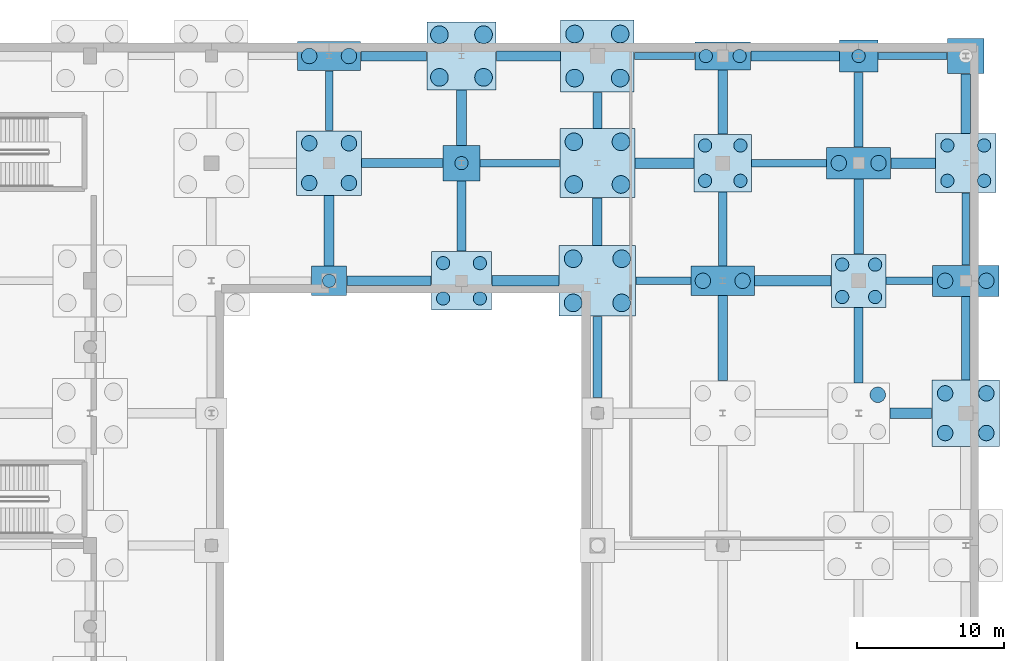
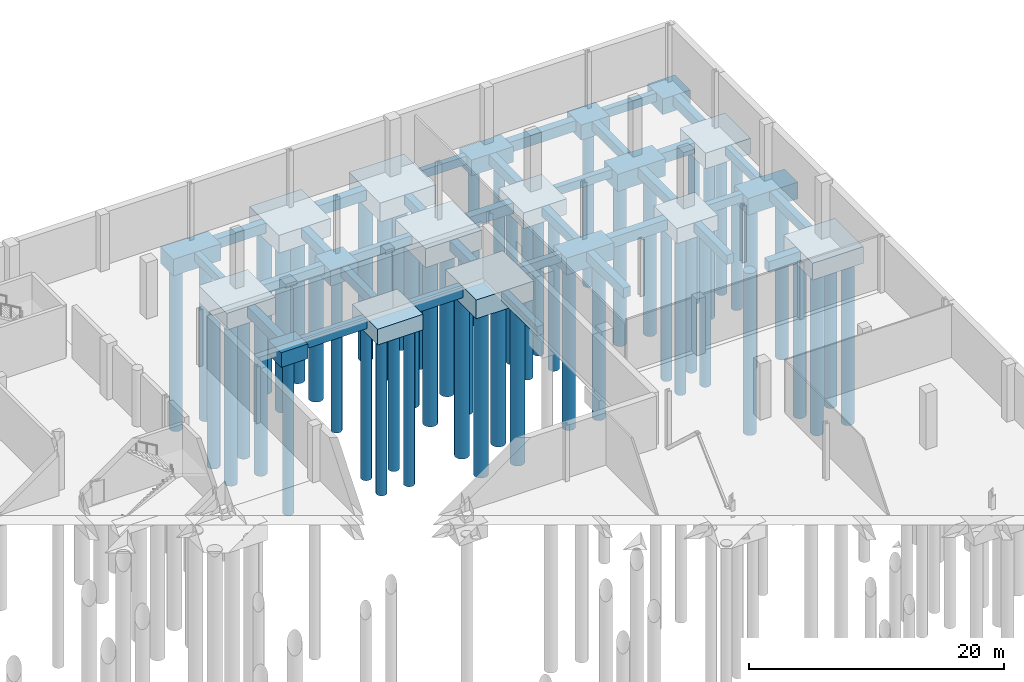
# One storey, part 14 of 60: 54 piles, 51 footings.
"""IFC4 building model written with IfcOpenShell, lengths in metres."""

from ifc_helpers import new_model, si_unit, direction, frame, origin, origin_2d, place, context, subcontext, project, spatial, rectangle, circle, extrude, material, material_profile, profile_set, type_object, element, save


model = new_model("IFC4")

# Units and contexts
model_context = context("Model", 3, precision=1e-05, world=origin(), true_north=direction((0.0, 1.0)))
body_context = subcontext(model_context, "Body", "Model", "MODEL_VIEW")
ifc_project = project(units=[si_unit("LENGTHUNIT", "METRE"), si_unit("AREAUNIT", "SQUARE_METRE"), si_unit("VOLUMEUNIT", "CUBIC_METRE"), si_unit("PLANEANGLEUNIT", "RADIAN"), si_unit("MASSUNIT", "GRAM", prefix="KILO")], contexts=[model_context])

# Site, building, storey
site_placement = place(None, origin())
site = spatial("IfcSite", under=ifc_project, at=site_placement, CompositionType="ELEMENT")
building_placement = place(site_placement, origin())
building = spatial("IfcBuilding", under=site, at=building_placement, Name="Trimount Lyric Opera House", CompositionType="ELEMENT")
storey_placement = place(building_placement, frame((0.0, 0.0, -5.39990234375)))
storey = spatial("IfcBuildingStorey", under=building, at=storey_placement, Name="B1", CompositionType="ELEMENT", Elevation=-5.39990234375)

# Footings
ifc_material_1 = material(Name="Concrete C40/50", Category="concrete")
footing_type_1 = type_object("IfcFootingType", Name="FB-01", PredefinedType="FOOTING_BEAM", material=ifc_material_1)
footing_1_placement = place(storey_placement, frame((130.0, 105.39990234375, -1.60009765625), z_axis=(0.0, 0.0, 1.0), x_axis=(1.0, 0.0, 0.0)))
element("IfcFooting", 1, at=footing_1_placement, inside=storey, type_object=footing_type_1, Name="Ground tie beam Y-0328", PredefinedType="FOOTING_BEAM", context=body_context, shape_type="SweptSolid", body=[
    extrude(rectangle(XDim=0.699951171875, YDim=4.77001953125, at=origin_2d()), origin(), (0.0, 0.0, 1.0), 1.0),
])
footing_2_placement = place(storey_placement, frame((143.344970703125, 102.0, -1.60009765625), z_axis=(0.0, 0.0, 1.0), x_axis=(1.0, 0.0, 0.0)))
element("IfcFooting", 2, at=footing_2_placement, inside=storey, type_object=footing_type_1, Name="Ground tie beam X-0348", PredefinedType="FOOTING_BEAM", context=body_context, shape_type="SweptSolid", body=[
    extrude(rectangle(XDim=4.56005859375, YDim=0.699951171875, at=origin_2d()), origin(), (0.0, 0.0, 1.0), 1.0),
])
footing_3_placement = place(storey_placement, frame((143.544921875, 117.280029296875, -1.60009765625), z_axis=(0.0, 0.0, 1.0), x_axis=(1.0, 0.0, 0.0)))
element("IfcFooting", 3, at=footing_3_placement, inside=storey, type_object=footing_type_1, Name="Ground tie beam X-0352", PredefinedType="FOOTING_BEAM", context=body_context, shape_type="SweptSolid", body=[
    extrude(rectangle(XDim=4.360107421875, YDim=0.699951171875, at=origin_2d()), origin(), (0.0, 0.0, 1.0), 1.0),
])
footing_4_placement = place(storey_placement, frame((152.800048828125, 110.0, -1.60009765625), z_axis=(0.0, 0.0, 1.0), x_axis=(1.0, 0.0, 0.0)))
element("IfcFooting", 4, at=footing_4_placement, inside=storey, type_object=footing_type_1, Name="Ground tie beam X-0376", PredefinedType="FOOTING_BEAM", context=body_context, shape_type="SweptSolid", body=[
    extrude(rectangle(XDim=3.989990234375, YDim=0.699951171875, at=origin_2d()), origin(), (0.0, 0.0, 1.0), 1.0),
])
footing_5_placement = place(storey_placement, frame((161.530029296875, 102.0, -1.60009765625), z_axis=(0.0, 0.0, 1.0), x_axis=(1.0, 0.0, 0.0)))
element("IfcFooting", 5, at=footing_5_placement, inside=storey, type_object=footing_type_1, Name="Ground tie beam X-0400", PredefinedType="FOOTING_BEAM", context=body_context, shape_type="SweptSolid", body=[
    extrude(rectangle(XDim=5.2099609375, YDim=0.699951171875, at=origin_2d()), origin(), (0.0, 0.0, 1.0), 1.0),
])
footing_6_placement = place(storey_placement, frame((161.679931640625, 117.280029296875, -1.60009765625), z_axis=(0.0, 0.0, 1.0), x_axis=(1.0, 0.0, 0.0)))
element("IfcFooting", 6, at=footing_6_placement, inside=storey, type_object=footing_type_1, Name="Ground tie beam X-0404", PredefinedType="FOOTING_BEAM", context=body_context, shape_type="SweptSolid", body=[
    extrude(rectangle(XDim=6.010009765625, YDim=0.699951171875, at=origin_2d()), origin(), (0.0, 0.0, 1.0), 1.0),
])
footing_7_placement = place(storey_placement, frame((169.5400390625, 93.0, -1.60009765625), z_axis=(0.0, 0.0, 1.0), x_axis=(1.0, 0.0, 0.0)))
element("IfcFooting", 7, at=footing_7_placement, inside=storey, type_object=footing_type_1, Name="Ground tie beam X-0424", PredefinedType="FOOTING_BEAM", context=body_context, shape_type="SweptSolid", body=[
    extrude(rectangle(XDim=2.85009765625, YDim=0.699951171875, at=origin_2d()), origin(), (0.0, 0.0, 1.0), 1.0),
])
footing_8_placement = place(storey_placement, frame((169.702392578125, 110.0, -1.60009765625), z_axis=(0.0, 0.0, 1.0), x_axis=(1.0, 0.0, 0.0)))
element("IfcFooting", 8, at=footing_8_placement, inside=storey, type_object=footing_type_1, Name="Ground tie beam X-0428", PredefinedType="FOOTING_BEAM", context=body_context, shape_type="SweptSolid", body=[
    extrude(rectangle(XDim=3.02490234375, YDim=0.699951171875, at=origin_2d()), origin(), (0.0, 0.0, 1.0), 1.0),
])
ifc_material_2 = material(Name="Concrete C40/50", Category="concrete")
footing_type_2 = type_object("IfcFootingType", Name="FB-02", PredefinedType="FOOTING_BEAM", material=ifc_material_2)
footing_9_placement = place(storey_placement, frame((134.97509765625, 110.0, -1.5), z_axis=(0.0, 0.0, 1.0), x_axis=(1.0, 0.0, 0.0)))
element("IfcFooting", 9, at=footing_9_placement, inside=storey, type_object=footing_type_2, Name="Ground tie beam X-0329", PredefinedType="FOOTING_BEAM", context=body_context, shape_type="SweptSolid", body=[
    extrude(rectangle(XDim=5.52001953125, YDim=0.60009765625, at=origin_2d()), origin(), (0.0, 0.0, 1.0), 0.89990234375),
])
footing_10_placement = place(storey_placement, frame((139.0, 106.39990234375, -1.5), z_axis=(0.0, 0.0, 1.0), x_axis=(1.0, 0.0, 0.0)))
element("IfcFooting", 10, at=footing_10_placement, inside=storey, type_object=footing_type_2, Name="Ground tie beam Y-0349", PredefinedType="FOOTING_BEAM", context=body_context, shape_type="SweptSolid", body=[
    extrude(rectangle(XDim=0.60009765625, YDim=4.77001953125, at=origin_2d()), origin(), (0.0, 0.0, 1.0), 0.89990234375),
])
footing_11_placement = place(storey_placement, frame((148.239990234375, 96.824951171875, -1.5), z_axis=(0.0, 0.0, 1.0), x_axis=(1.0, 0.0, 0.0)))
element("IfcFooting", 11, at=footing_11_placement, inside=storey, type_object=footing_type_2, Name="Ground tie beam Y-0373", PredefinedType="FOOTING_BEAM", context=body_context, shape_type="SweptSolid", body=[
    extrude(rectangle(XDim=0.60009765625, YDim=5.52001953125, at=origin_2d()), origin(), (0.0, 0.0, 1.0), 0.89990234375),
])
footing_12_placement = place(storey_placement, frame((148.239990234375, 113.590087890625, -1.5), z_axis=(0.0, 0.0, 1.0), x_axis=(1.0, 0.0, 0.0)))
element("IfcFooting", 12, at=footing_12_placement, inside=storey, type_object=footing_type_2, Name="Ground tie beam Y-0377", PredefinedType="FOOTING_BEAM", context=body_context, shape_type="SweptSolid", body=[
    extrude(rectangle(XDim=0.60009765625, YDim=2.449951171875, at=origin_2d()), origin(), (0.0, 0.0, 1.0), 0.89990234375),
])
footing_13_placement = place(storey_placement, frame((156.760009765625, 105.52490234375, -1.5), z_axis=(0.0, 0.0, 1.0), x_axis=(1.0, 0.0, 0.0)))
element("IfcFooting", 13, at=footing_13_placement, inside=storey, type_object=footing_type_2, Name="Ground tie beam Y-0401", PredefinedType="FOOTING_BEAM", context=body_context, shape_type="SweptSolid", body=[
    extrude(rectangle(XDim=0.60009765625, YDim=5.02001953125, at=origin_2d()), origin(), (0.0, 0.0, 1.0), 0.89990234375),
])
footing_14_placement = place(storey_placement, frame((166.0, 97.625, -1.5), z_axis=(0.0, 0.0, 1.0), x_axis=(1.0, 0.0, 0.0)))
element("IfcFooting", 14, at=footing_14_placement, inside=storey, type_object=footing_type_2, Name="Ground tie beam Y-0425", PredefinedType="FOOTING_BEAM", context=body_context, shape_type="SweptSolid", body=[
    extrude(rectangle(XDim=0.60009765625, YDim=5.1201171875, at=origin_2d()), origin(), (0.0, 0.0, 1.0), 0.89990234375),
])
footing_15_placement = place(storey_placement, frame((166.0, 113.62744140625, -1.5), z_axis=(0.0, 0.0, 1.0), x_axis=(1.0, 0.0, 0.0)))
element("IfcFooting", 15, at=footing_15_placement, inside=storey, type_object=footing_type_2, Name="Ground tie beam Y-0429", PredefinedType="FOOTING_BEAM", context=body_context, shape_type="SweptSolid", body=[
    extrude(rectangle(XDim=0.60009765625, YDim=5.074951171875, at=origin_2d()), origin(), (0.0, 0.0, 1.0), 0.89990234375),
])
footing_16_placement = place(storey_placement, frame((173.280029296875, 98.10009765625, -1.5), z_axis=(0.0, 0.0, 1.0), x_axis=(1.0, 0.0, 0.0)))
element("IfcFooting", 16, at=footing_16_placement, inside=storey, type_object=footing_type_2, Name="Ground tie beam Y-0437", PredefinedType="FOOTING_BEAM", context=body_context, shape_type="SweptSolid", body=[
    extrude(rectangle(XDim=0.60009765625, YDim=5.669921875, at=origin_2d()), origin(), (0.0, 0.0, 1.0), 0.89990234375),
])
ifc_material_3 = material(Name="Concrete C40/50", Category="concrete")
footing_type_3 = type_object("IfcFootingType", Name="FB-03", PredefinedType="FOOTING_BEAM", material=ifc_material_3)
footing_17_placement = place(storey_placement, frame((130.0, 114.239990234375, -1.39990234375), z_axis=(0.0, 0.0, 1.0), x_axis=(1.0, 0.0, 0.0)))
element("IfcFooting", 17, at=footing_17_placement, inside=storey, type_object=footing_type_3, Name="Ground tie beam Y-0330", PredefinedType="FOOTING_BEAM", context=body_context, shape_type="SweptSolid", body=[
    extrude(rectangle(XDim=0.5, YDim=4.050048828125, at=origin_2d()), origin(), (0.0, 0.0, 1.0), 0.800048828125),
])
footing_18_placement = place(storey_placement, frame((142.969970703125, 110.0, -1.39990234375), z_axis=(0.0, 0.0, 1.0), x_axis=(1.0, 0.0, 0.0)))
element("IfcFooting", 18, at=footing_18_placement, inside=storey, type_object=footing_type_3, Name="Ground tie beam X-0350", PredefinedType="FOOTING_BEAM", context=body_context, shape_type="SweptSolid", body=[
    extrude(rectangle(XDim=5.409912109375, YDim=0.5, at=origin_2d()), origin(), (0.0, 0.0, 1.0), 0.800048828125),
])
footing_19_placement = place(storey_placement, frame((152.72509765625, 102.0, -1.39990234375), z_axis=(0.0, 0.0, 1.0), x_axis=(1.0, 0.0, 0.0)))
element("IfcFooting", 19, at=footing_19_placement, inside=storey, type_object=footing_type_3, Name="Ground tie beam X-0374", PredefinedType="FOOTING_BEAM", context=body_context, shape_type="SweptSolid", body=[
    extrude(rectangle(XDim=3.739990234375, YDim=0.5, at=origin_2d()), origin(), (0.0, 0.0, 1.0), 0.800048828125),
])
footing_20_placement = place(storey_placement, frame((152.800048828125, 117.280029296875, -1.39990234375), z_axis=(0.0, 0.0, 1.0), x_axis=(1.0, 0.0, 0.0)))
element("IfcFooting", 20, at=footing_20_placement, inside=storey, type_object=footing_type_3, Name="Ground tie beam X-0378", PredefinedType="FOOTING_BEAM", context=body_context, shape_type="SweptSolid", body=[
    extrude(rectangle(XDim=4.090087890625, YDim=0.5, at=origin_2d()), origin(), (0.0, 0.0, 1.0), 0.800048828125),
])
footing_21_placement = place(storey_placement, frame((161.267578125, 110.0, -1.39990234375), z_axis=(0.0, 0.0, 1.0), x_axis=(1.0, 0.0, 0.0)))
element("IfcFooting", 21, at=footing_21_placement, inside=storey, type_object=footing_type_3, Name="Ground tie beam X-0402", PredefinedType="FOOTING_BEAM", context=body_context, shape_type="SweptSolid", body=[
    extrude(rectangle(XDim=5.0849609375, YDim=0.5, at=origin_2d()), origin(), (0.0, 0.0, 1.0), 0.800048828125),
])
footing_22_placement = place(storey_placement, frame((169.43994140625, 102.0, -1.39990234375), z_axis=(0.0, 0.0, 1.0), x_axis=(1.0, 0.0, 0.0)))
element("IfcFooting", 22, at=footing_22_placement, inside=storey, type_object=footing_type_3, Name="Ground tie beam X-0426", PredefinedType="FOOTING_BEAM", context=body_context, shape_type="SweptSolid", body=[
    extrude(rectangle(XDim=3.14990234375, YDim=0.5, at=origin_2d()), origin(), (0.0, 0.0, 1.0), 0.800048828125),
])
footing_23_placement = place(storey_placement, frame((169.6650390625, 117.280029296875, -1.39990234375), z_axis=(0.0, 0.0, 1.0), x_axis=(1.0, 0.0, 0.0)))
element("IfcFooting", 23, at=footing_23_placement, inside=storey, type_object=footing_type_3, Name="Ground tie beam X-0430", PredefinedType="FOOTING_BEAM", context=body_context, shape_type="SweptSolid", body=[
    extrude(rectangle(XDim=4.699951171875, YDim=0.5, at=origin_2d()), origin(), (0.0, 0.0, 1.0), 0.800048828125),
])
footing_24_placement = place(storey_placement, frame((173.280029296875, 105.52490234375, -1.39990234375), z_axis=(0.0, 0.0, 1.0), x_axis=(1.0, 0.0, 0.0)))
element("IfcFooting", 24, at=footing_24_placement, inside=storey, type_object=footing_type_3, Name="Ground tie beam Y-0438", PredefinedType="FOOTING_BEAM", context=body_context, shape_type="SweptSolid", body=[
    extrude(rectangle(XDim=0.5, YDim=4.919921875, at=origin_2d()), origin(), (0.0, 0.0, 1.0), 0.800048828125),
])
ifc_material_4 = material(Name="Concrete C40/50", Category="concrete")
footing_type_4 = type_object("IfcFootingType", Name="FB-04", PredefinedType="FOOTING_BEAM", material=ifc_material_4)
footing_25_placement = place(storey_placement, frame((134.074951171875, 102.0, -1.55029296875), z_axis=(0.0, 0.0, 1.0), x_axis=(1.0, 0.0, 0.0)))
element("IfcFooting", 25, at=footing_25_placement, inside=storey, type_object=footing_type_4, Name="Ground tie beam X-0327", PredefinedType="FOOTING_BEAM", context=body_context, shape_type="SweptSolid", body=[
    extrude(rectangle(XDim=5.719970703125, YDim=0.64990234375, at=origin_2d()), origin(), (0.0, 0.0, 1.0), 0.949951171875),
])
footing_26_placement = place(storey_placement, frame((134.39990234375, 117.280029296875, -1.55029296875), z_axis=(0.0, 0.0, 1.0), x_axis=(1.0, 0.0, 0.0)))
element("IfcFooting", 26, at=footing_26_placement, inside=storey, type_object=footing_type_4, Name="Ground tie beam X-0331", PredefinedType="FOOTING_BEAM", context=body_context, shape_type="SweptSolid", body=[
    extrude(rectangle(XDim=4.469970703125, YDim=0.64990234375, at=origin_2d()), origin(), (0.0, 0.0, 1.0), 0.949951171875),
])
footing_27_placement = place(storey_placement, frame((139.0, 113.090087890625, -1.55029296875), z_axis=(0.0, 0.0, 1.0), x_axis=(1.0, 0.0, 0.0)))
element("IfcFooting", 27, at=footing_27_placement, inside=storey, type_object=footing_type_4, Name="Ground tie beam Y-0351", PredefinedType="FOOTING_BEAM", context=body_context, shape_type="SweptSolid", body=[
    extrude(rectangle(XDim=0.64990234375, YDim=3.75, at=origin_2d()), origin(), (0.0, 0.0, 1.0), 0.949951171875),
])
footing_28_placement = place(storey_placement, frame((148.239990234375, 106.02490234375, -1.55029296875), z_axis=(0.0, 0.0, 1.0), x_axis=(1.0, 0.0, 0.0)))
element("IfcFooting", 28, at=footing_28_placement, inside=storey, type_object=footing_type_4, Name="Ground tie beam Y-0375", PredefinedType="FOOTING_BEAM", context=body_context, shape_type="SweptSolid", body=[
    extrude(rectangle(XDim=0.64990234375, YDim=3.219970703125, at=origin_2d()), origin(), (0.0, 0.0, 1.0), 0.949951171875),
])
footing_29_placement = place(storey_placement, frame((156.760009765625, 98.10009765625, -1.55029296875), z_axis=(0.0, 0.0, 1.0), x_axis=(1.0, 0.0, 0.0)))
element("IfcFooting", 29, at=footing_29_placement, inside=storey, type_object=footing_type_4, Name="Ground tie beam Y-0399", PredefinedType="FOOTING_BEAM", context=body_context, shape_type="SweptSolid", body=[
    extrude(rectangle(XDim=0.64990234375, YDim=5.77001953125, at=origin_2d()), origin(), (0.0, 0.0, 1.0), 0.949951171875),
])
footing_30_placement = place(storey_placement, frame((156.760009765625, 114.139892578125, -1.55029296875), z_axis=(0.0, 0.0, 1.0), x_axis=(1.0, 0.0, 0.0)))
element("IfcFooting", 30, at=footing_30_placement, inside=storey, type_object=footing_type_4, Name="Ground tie beam Y-0403", PredefinedType="FOOTING_BEAM", context=body_context, shape_type="SweptSolid", body=[
    extrude(rectangle(XDim=0.64990234375, YDim=4.35009765625, at=origin_2d()), origin(), (0.0, 0.0, 1.0), 0.949951171875),
])
footing_31_placement = place(storey_placement, frame((166.0, 106.362548828125, -1.55029296875), z_axis=(0.0, 0.0, 1.0), x_axis=(1.0, 0.0, 0.0)))
element("IfcFooting", 31, at=footing_31_placement, inside=storey, type_object=footing_type_4, Name="Ground tie beam Y-0427", PredefinedType="FOOTING_BEAM", context=body_context, shape_type="SweptSolid", body=[
    extrude(rectangle(XDim=0.64990234375, YDim=5.094970703125, at=origin_2d()), origin(), (0.0, 0.0, 1.0), 0.949951171875),
])
footing_32_placement = place(storey_placement, frame((173.280029296875, 114.0400390625, -1.55029296875), z_axis=(0.0, 0.0, 1.0), x_axis=(1.0, 0.0, 0.0)))
element("IfcFooting", 32, at=footing_32_placement, inside=storey, type_object=footing_type_4, Name="Ground tie beam Y-0439", PredefinedType="FOOTING_BEAM", context=body_context, shape_type="SweptSolid", body=[
    extrude(rectangle(XDim=0.64990234375, YDim=4.050048828125, at=origin_2d()), origin(), (0.0, 0.0, 1.0), 0.949951171875),
])
ifc_material_5 = material(Name="Concrete C40/50", Category="concrete")
footing_type_5 = type_object("IfcFootingType", Name="PC-04", PredefinedType="PILE_CAP", material=ifc_material_5)
footing_33_placement = place(storey_placement, frame((130.0, 110.0, -2.2001953125), z_axis=(0.0, 0.0, 1.0), x_axis=(1.0, 0.0, 0.0)))
element("IfcFooting", 33, at=footing_33_placement, inside=storey, type_object=footing_type_5, Name="Pile cap 15/N", PredefinedType="PILE_CAP", context=body_context, shape_type="SweptSolid", body=[
    extrude(rectangle(XDim=4.39990234375, YDim=4.39990234375, at=origin_2d()), origin(), (0.0, 0.0, 1.0), 1.60009765625),
])
ifc_material_6 = material(Name="Concrete C40/50", Category="concrete")
footing_type_6 = type_object("IfcFootingType", Name="PC-05", PredefinedType="PILE_CAP", material=ifc_material_6)
for number, where, z_axis, x_axis, name in (
    (34, (130.0, 117.280029296875, -2.2001953125), (0.0, 0.0, 1.0), (1.0, 0.0, 0.0), "Pile cap 15/P"),
    (35, (156.760009765625, 102.0, -2.2001953125), (0.0, 0.0, 1.0), (1.0, 0.0, 0.0), "Pile cap 18/M"),
):
    element("IfcFooting", number, at=place(storey_placement, frame(where, z_axis=z_axis, x_axis=x_axis)), inside=storey, type_object=footing_type_6, Name=name, PredefinedType="PILE_CAP", context=body_context, shape_type="SweptSolid", body=[
        extrude(rectangle(XDim=4.300048828125, YDim=2.0, at=origin_2d()), origin(), (0.0, 0.0, 1.0), 1.60009765625),
    ])
ifc_material_7 = material(Name="Concrete C40/50", Category="concrete")
footing_type_7 = type_object("IfcFootingType", Name="PC-06", PredefinedType="PILE_CAP", material=ifc_material_7)
footing_34_placement = place(storey_placement, frame((156.760009765625, 110.0, -2.10009765625), z_axis=(0.0, 0.0, 1.0), x_axis=(1.0, 0.0, 0.0)))
element("IfcFooting", 36, at=footing_34_placement, inside=storey, type_object=footing_type_7, Name="Pile cap 18/N", PredefinedType="PILE_CAP", context=body_context, shape_type="SweptSolid", body=[
    extrude(rectangle(XDim=3.89990234375, YDim=3.89990234375, at=origin_2d()), origin(), (0.0, 0.0, 1.0), 1.5),
])
ifc_material_8 = material(Name="Concrete C40/50", Category="concrete")
footing_type_8 = type_object("IfcFootingType", Name="PC-07", PredefinedType="PILE_CAP", material=ifc_material_8)
footing_35_placement = place(storey_placement, frame((156.760009765625, 117.280029296875, -2.10009765625), z_axis=(0.0, 0.0, 1.0), x_axis=(1.0, 0.0, 0.0)))
element("IfcFooting", 37, at=footing_35_placement, inside=storey, type_object=footing_type_8, Name="Pile cap 18/P", PredefinedType="PILE_CAP", context=body_context, shape_type="SweptSolid", body=[
    extrude(rectangle(XDim=3.800048828125, YDim=1.89990234375, at=origin_2d()), origin(), (0.0, 0.0, 1.0), 1.5),
])
ifc_material_9 = material(Name="Concrete C40/50", Category="concrete")
footing_type_9 = type_object("IfcFootingType", Name="PC-10", PredefinedType="PILE_CAP", material=ifc_material_9)
footing_36_placement = place(storey_placement, frame((148.239990234375, 102.0, -2.39990234375), z_axis=(0.0, 0.0, 1.0), x_axis=(1.0, 0.0, 0.0)))
element("IfcFooting", 38, at=footing_36_placement, inside=storey, type_object=footing_type_9, Name="Pile cap 17/M", PredefinedType="PILE_CAP", context=body_context, shape_type="SweptSolid", body=[
    extrude(rectangle(XDim=5.199951171875, YDim=4.800048828125, at=origin_2d()), origin(), (0.0, 0.0, 1.0), 1.800048828125),
])
ifc_material_10 = material(Name="Concrete C40/50", Category="concrete")
footing_type_10 = type_object("IfcFootingType", Name="PC-11", PredefinedType="PILE_CAP", material=ifc_material_10)
footing_37_placement = place(storey_placement, frame((148.239990234375, 110.0, -2.39990234375), z_axis=(0.0, 0.0, 1.0), x_axis=(1.0, 0.0, 0.0)))
element("IfcFooting", 39, at=footing_37_placement, inside=storey, type_object=footing_type_10, Name="Pile cap 17/N", PredefinedType="PILE_CAP", context=body_context, shape_type="SweptSolid", body=[
    extrude(rectangle(XDim=5.10009765625, YDim=4.699951171875, at=origin_2d()), origin(), (0.0, 0.0, 1.0), 1.800048828125),
])
ifc_material_11 = material(Name="Concrete C40/50", Category="concrete")
footing_type_11 = type_object("IfcFootingType", Name="PC-12", PredefinedType="PILE_CAP", material=ifc_material_11)
footing_38_placement = place(storey_placement, frame((148.239990234375, 117.280029296875, -2.39990234375), z_axis=(0.0, 0.0, 1.0), x_axis=(1.0, 0.0, 0.0)))
element("IfcFooting", 40, at=footing_38_placement, inside=storey, type_object=footing_type_11, Name="Pile cap 17/P", PredefinedType="PILE_CAP", context=body_context, shape_type="SweptSolid", body=[
    extrude(rectangle(XDim=5.0, YDim=4.89990234375, at=origin_2d()), origin(), (0.0, 0.0, 1.0), 1.800048828125),
])
ifc_material_12 = material(Name="Concrete C40/50", Category="concrete")
footing_type_12 = type_object("IfcFootingType", Name="PC-13", PredefinedType="PILE_CAP", material=ifc_material_12)
footing_39_placement = place(storey_placement, frame((173.280029296875, 93.0, -2.2001953125), z_axis=(0.0, 0.0, 1.0), x_axis=(1.0, 0.0, 0.0)))
element("IfcFooting", 41, at=footing_39_placement, inside=storey, type_object=footing_type_12, Name="Pile cap 20/L", PredefinedType="PILE_CAP", context=body_context, shape_type="SweptSolid", body=[
    extrude(rectangle(XDim=4.60009765625, YDim=4.5, at=origin_2d()), origin(), (0.0, 0.0, 1.0), 1.60009765625),
])
ifc_material_13 = material(Name="Concrete C40/50", Category="concrete")
footing_type_13 = type_object("IfcFootingType", Name="PC-14", PredefinedType="PILE_CAP", material=ifc_material_13)
footing_40_placement = place(storey_placement, frame((173.280029296875, 102.0, -2.2001953125), z_axis=(0.0, 0.0, 1.0), x_axis=(1.0, 0.0, 0.0)))
element("IfcFooting", 42, at=footing_40_placement, inside=storey, type_object=footing_type_13, Name="Pile cap 20/M", PredefinedType="PILE_CAP", context=body_context, shape_type="SweptSolid", body=[
    extrude(rectangle(XDim=4.5, YDim=2.10009765625, at=origin_2d()), origin(), (0.0, 0.0, 1.0), 1.60009765625),
])
ifc_material_14 = material(Name="Concrete C40/50", Category="concrete")
footing_type_14 = type_object("IfcFootingType", Name="PC-15", PredefinedType="PILE_CAP", material=ifc_material_14)
for number, where, z_axis, x_axis, name in (
    (43, (139.0, 102.0, -2.10009765625), (0.0, 0.0, 1.0), (1.0, 0.0, 0.0), "Pile cap 16/M"),
    (44, (173.280029296875, 110.0, -2.10009765625), (0.0, 0.0, 1.0), (1.0, 0.0, 0.0), "Pile cap 20/N"),
):
    element("IfcFooting", number, at=place(storey_placement, frame(where, z_axis=z_axis, x_axis=x_axis)), inside=storey, type_object=footing_type_14, Name=name, PredefinedType="PILE_CAP", context=body_context, shape_type="SweptSolid", body=[
        extrude(rectangle(XDim=4.10009765625, YDim=4.0, at=origin_2d()), origin(), (0.0, 0.0, 1.0), 1.5),
    ])
ifc_material_15 = material(Name="Concrete C40/50", Category="concrete")
footing_type_15 = type_object("IfcFootingType", Name="PC-16", PredefinedType="PILE_CAP", material=ifc_material_15)
for number, where, z_axis, x_axis, name in (
    (45, (139.0, 110.0, -2.10009765625), (0.0, 0.0, 1.0), (1.0, 0.0, 0.0), "Pile cap 16/N"),
    (46, (173.280029296875, 117.280029296875, -2.10009765625), (0.0, 0.0, 1.0), (1.0, 0.0, 0.0), "Pile cap 20/P"),
):
    element("IfcFooting", number, at=place(storey_placement, frame(where, z_axis=z_axis, x_axis=x_axis)), inside=storey, type_object=footing_type_15, Name=name, PredefinedType="PILE_CAP", context=body_context, shape_type="SweptSolid", body=[
        extrude(rectangle(XDim=2.5, YDim=2.39990234375, at=origin_2d()), origin(), (0.0, 0.0, 1.0), 1.5),
    ])
ifc_material_16 = material(Name="Concrete C40/50", Category="concrete")
footing_type_16 = type_object("IfcFootingType", Name="PC-17", PredefinedType="PILE_CAP", material=ifc_material_16)
footing_41_placement = place(storey_placement, frame((139.0, 117.280029296875, -2.30029296875), z_axis=(0.0, 0.0, 1.0), x_axis=(1.0, 0.0, 0.0)))
element("IfcFooting", 47, at=footing_41_placement, inside=storey, type_object=footing_type_16, Name="Pile cap 16/P", PredefinedType="PILE_CAP", context=body_context, shape_type="SweptSolid", body=[
    extrude(rectangle(XDim=4.699951171875, YDim=4.60009765625, at=origin_2d()), origin(), (0.0, 0.0, 1.0), 1.699951171875),
])
ifc_material_17 = material(Name="Concrete C40/50", Category="concrete")
footing_type_17 = type_object("IfcFootingType", Name="PC-19", PredefinedType="PILE_CAP", material=ifc_material_17)
footing_42_placement = place(storey_placement, frame((166.0, 102.0, -2.05029296875), z_axis=(0.0, 0.0, 1.0), x_axis=(1.0, 0.0, 0.0)))
element("IfcFooting", 48, at=footing_42_placement, inside=storey, type_object=footing_type_17, Name="Pile cap 19/M", PredefinedType="PILE_CAP", context=body_context, shape_type="SweptSolid", body=[
    extrude(rectangle(XDim=3.699951171875, YDim=3.60009765625, at=origin_2d()), origin(), (0.0, 0.0, 1.0), 1.449951171875),
])
ifc_material_18 = material(Name="Concrete C40/50", Category="concrete")
footing_type_18 = type_object("IfcFootingType", Name="PC-20", PredefinedType="PILE_CAP", material=ifc_material_18)
footing_43_placement = place(storey_placement, frame((166.0, 110.0, -2.25), z_axis=(0.0, 0.0, 1.0), x_axis=(1.0, 0.0, 0.0)))
element("IfcFooting", 49, at=footing_43_placement, inside=storey, type_object=footing_type_18, Name="Pile cap 19/N", PredefinedType="PILE_CAP", context=body_context, shape_type="SweptSolid", body=[
    extrude(rectangle(XDim=4.35009765625, YDim=2.14990234375, at=origin_2d()), origin(), (0.0, 0.0, 1.0), 1.64990234375),
])
ifc_material_19 = material(Name="Concrete C40/50", Category="concrete")
footing_type_19 = type_object("IfcFootingType", Name="PC-21", PredefinedType="PILE_CAP", material=ifc_material_19)
footing_44_placement = place(storey_placement, frame((166.0, 117.280029296875, -2.05029296875), z_axis=(0.0, 0.0, 1.0), x_axis=(1.0, 0.0, 0.0)))
element("IfcFooting", 50, at=footing_44_placement, inside=storey, type_object=footing_type_19, Name="Pile cap 19/P", PredefinedType="PILE_CAP", context=body_context, shape_type="SweptSolid", body=[
    extrude(rectangle(XDim=2.60009765625, YDim=2.199951171875, at=origin_2d()), origin(), (0.0, 0.0, 1.0), 1.449951171875),
])
ifc_material_20 = material(Name="Concrete C40/50", Category="concrete")
footing_type_20 = type_object("IfcFootingType", Name="PC-22", PredefinedType="PILE_CAP", material=ifc_material_20)
footing_45_placement = place(storey_placement, frame((130.0, 102.0, -2.0), z_axis=(0.0, 0.0, 1.0), x_axis=(1.0, 0.0, 0.0)))
element("IfcFooting", 51, at=footing_45_placement, inside=storey, type_object=footing_type_20, Name="Pile cap 15/M", PredefinedType="PILE_CAP", context=body_context, shape_type="SweptSolid", body=[
    extrude(rectangle(XDim=2.39990234375, YDim=2.0, at=origin_2d()), origin(), (0.0, 0.0, 1.0), 1.39990234375),
])

# Piles
ifc_material_21 = material(Name="Concrete C40/50", Category="concrete")
ifc_material_profile_1 = material_profile(ifc_material_21, circle(Radius=0.52490234375, at=origin_2d()), Name="PILE-D1050")
ifc_profile_set_1 = profile_set([ifc_material_profile_1], Name="Concrete C40/50")
pile_type_1 = type_object("IfcPileType", Name="PL-1050", PredefinedType="BORED", material=ifc_profile_set_1)
for number, where, z_axis, x_axis, name in (
    (52, (128.64990234375, 108.64990234375, -2.10009765625), (0.0, 0.0, -1.0), (1.0, 0.0, 0.0), "Bored pile 0565"),
    (53, (131.35009765625, 108.64990234375, -2.10009765625), (0.0, 0.0, -1.0), (1.0, 0.0, 0.0), "Bored pile 0566"),
    (54, (128.64990234375, 111.35009765625, -2.10009765625), (0.0, 0.0, -1.0), (1.0, 0.0, 0.0), "Bored pile 0567"),
    (55, (131.35009765625, 111.35009765625, -2.10009765625), (0.0, 0.0, -1.0), (1.0, 0.0, 0.0), "Bored pile 0568"),
    (56, (128.64990234375, 117.280029296875, -2.10009765625), (0.0, 0.0, -1.0), (1.0, 0.0, 0.0), "Bored pile 0569"),
    (57, (131.35009765625, 117.280029296875, -2.10009765625), (0.0, 0.0, -1.0), (1.0, 0.0, 0.0), "Bored pile 0570"),
    (58, (155.409912109375, 102.0, -2.10009765625), (0.0, 0.0, -1.0), (1.0, 0.0, 0.0), "Bored pile 0675"),
    (59, (158.110107421875, 102.0, -2.10009765625), (0.0, 0.0, -1.0), (1.0, 0.0, 0.0), "Bored pile 0676"),
    (60, (167.300048828125, 94.25, -2.050048828125), (0.0, 0.0, -1.0), (1.0, 0.0, 0.0), "Bored pile 0715"),
    (61, (164.64990234375, 110.0, -2.150146484375), (0.0, 0.0, -1.0), (1.0, 0.0, 0.0), "Bored pile 0720"),
    (62, (167.35009765625, 110.0, -2.150146484375), (0.0, 0.0, -1.0), (1.0, 0.0, 0.0), "Bored pile 0721"),
    (63, (171.8798828125, 91.64990234375, -2.10009765625), (0.0, 0.0, -1.0), (1.0, 0.0, 0.0), "Bored pile 0750"),
    (64, (174.679931640625, 91.64990234375, -2.10009765625), (0.0, 0.0, -1.0), (1.0, 0.0, 0.0), "Bored pile 0751"),
    (65, (171.8798828125, 94.35009765625, -2.10009765625), (0.0, 0.0, -1.0), (1.0, 0.0, 0.0), "Bored pile 0752"),
    (66, (174.679931640625, 94.35009765625, -2.10009765625), (0.0, 0.0, -1.0), (1.0, 0.0, 0.0), "Bored pile 0753"),
    (67, (171.8798828125, 102.0, -2.10009765625), (0.0, 0.0, -1.0), (1.0, 0.0, 0.0), "Bored pile 0754"),
    (68, (174.679931640625, 102.0, -2.10009765625), (0.0, 0.0, -1.0), (1.0, 0.0, 0.0), "Bored pile 0755"),
):
    element("IfcPile", number, at=place(storey_placement, frame(where, z_axis=z_axis, x_axis=x_axis)), inside=storey, type_object=pile_type_1, Name=name, PredefinedType="BORED", context=body_context, shape_type="SweptSolid", body=[
        extrude(circle(Radius=0.52490234375, at=origin_2d()), origin(), (0.0, 0.0, 1.0), 15.5),
    ])
ifc_material_22 = material(Name="Concrete C40/50", Category="concrete")
ifc_material_profile_2 = material_profile(ifc_material_22, circle(Radius=0.60009765625, at=origin_2d()), Name="PILE-D1200")
ifc_profile_set_2 = profile_set([ifc_material_profile_2], Name="Concrete C40/50")
pile_type_2 = type_object("IfcPileType", Name="PL-1200", PredefinedType="BORED", material=ifc_profile_set_2)
for number, where, z_axis, x_axis, name in (
    (69, (137.5, 115.830078125, -2.2001953125), (0.0, 0.0, -1.0), (1.0, 0.0, 0.0), "Bored pile 0602"),
    (70, (140.5, 115.830078125, -2.2001953125), (0.0, 0.0, -1.0), (1.0, 0.0, 0.0), "Bored pile 0603"),
    (71, (137.5, 118.72998046875, -2.2001953125), (0.0, 0.0, -1.0), (1.0, 0.0, 0.0), "Bored pile 0604"),
    (72, (140.5, 118.72998046875, -2.2001953125), (0.0, 0.0, -1.0), (1.0, 0.0, 0.0), "Bored pile 0605"),
    (73, (146.590087890625, 100.5, -2.300048828125), (0.0, 0.0, -1.0), (1.0, 0.0, 0.0), "Bored pile 0632"),
    (74, (149.889892578125, 100.5, -2.300048828125), (0.0, 0.0, -1.0), (1.0, 0.0, 0.0), "Bored pile 0633"),
    (75, (146.590087890625, 103.5, -2.300048828125), (0.0, 0.0, -1.0), (1.0, 0.0, 0.0), "Bored pile 0634"),
    (76, (149.889892578125, 103.5, -2.300048828125), (0.0, 0.0, -1.0), (1.0, 0.0, 0.0), "Bored pile 0635"),
    (77, (146.639892578125, 108.550048828125, -2.300048828125), (0.0, 0.0, -1.0), (1.0, 0.0, 0.0), "Bored pile 0636"),
    (78, (149.840087890625, 108.550048828125, -2.300048828125), (0.0, 0.0, -1.0), (1.0, 0.0, 0.0), "Bored pile 0637"),
    (79, (146.639892578125, 111.449951171875, -2.300048828125), (0.0, 0.0, -1.0), (1.0, 0.0, 0.0), "Bored pile 0638"),
    (80, (149.840087890625, 111.449951171875, -2.300048828125), (0.0, 0.0, -1.0), (1.0, 0.0, 0.0), "Bored pile 0639"),
    (81, (146.68994140625, 115.780029296875, -2.300048828125), (0.0, 0.0, -1.0), (1.0, 0.0, 0.0), "Bored pile 0640"),
    (82, (149.7900390625, 115.780029296875, -2.300048828125), (0.0, 0.0, -1.0), (1.0, 0.0, 0.0), "Bored pile 0641"),
    (83, (146.68994140625, 118.780029296875, -2.300048828125), (0.0, 0.0, -1.0), (1.0, 0.0, 0.0), "Bored pile 0642"),
    (84, (149.7900390625, 118.780029296875, -2.300048828125), (0.0, 0.0, -1.0), (1.0, 0.0, 0.0), "Bored pile 0643"),
):
    element("IfcPile", number, at=place(storey_placement, frame(where, z_axis=z_axis, x_axis=x_axis)), inside=storey, type_object=pile_type_2, Name=name, PredefinedType="BORED", context=body_context, shape_type="SweptSolid", body=[
        extrude(circle(Radius=0.60009765625, at=origin_2d()), origin(), (0.0, 0.0, 1.0), 15.800048828125),
    ])
ifc_material_23 = material(Name="Concrete C40/50", Category="concrete")
ifc_material_profile_3 = material_profile(ifc_material_23, circle(Radius=0.449951171875, at=origin_2d()), Name="PILE-D900")
ifc_profile_set_3 = profile_set([ifc_material_profile_3], Name="Concrete C40/50")
pile_type_3 = type_object("IfcPileType", Name="PL-900", PredefinedType="BORED", material=ifc_profile_set_3)
for number, where, z_axis, x_axis, name in (
    (85, (130.0, 102.0, -1.900146484375), (0.0, 0.0, -1.0), (1.0, 0.0, 0.0), "Bored pile 0564"),
    (86, (137.75, 100.800048828125, -2.0), (0.0, 0.0, -1.0), (1.0, 0.0, 0.0), "Bored pile 0597"),
    (87, (140.25, 100.800048828125, -2.0), (0.0, 0.0, -1.0), (1.0, 0.0, 0.0), "Bored pile 0598"),
    (88, (137.75, 103.199951171875, -2.0), (0.0, 0.0, -1.0), (1.0, 0.0, 0.0), "Bored pile 0599"),
    (89, (140.25, 103.199951171875, -2.0), (0.0, 0.0, -1.0), (1.0, 0.0, 0.0), "Bored pile 0600"),
    (90, (139.0, 110.0, -2.0), (0.0, 0.0, -1.0), (1.0, 0.0, 0.0), "Bored pile 0601"),
    (91, (155.56005859375, 108.800048828125, -2.0), (0.0, 0.0, -1.0), (1.0, 0.0, 0.0), "Bored pile 0677"),
    (92, (157.9599609375, 108.800048828125, -2.0), (0.0, 0.0, -1.0), (1.0, 0.0, 0.0), "Bored pile 0678"),
    (93, (155.56005859375, 111.199951171875, -2.0), (0.0, 0.0, -1.0), (1.0, 0.0, 0.0), "Bored pile 0679"),
    (94, (157.9599609375, 111.199951171875, -2.0), (0.0, 0.0, -1.0), (1.0, 0.0, 0.0), "Bored pile 0680"),
    (95, (155.610107421875, 117.280029296875, -2.0), (0.0, 0.0, -1.0), (1.0, 0.0, 0.0), "Bored pile 0681"),
    (96, (157.909912109375, 117.280029296875, -2.0), (0.0, 0.0, -1.0), (1.0, 0.0, 0.0), "Bored pile 0682"),
    (97, (164.8798828125, 100.89990234375, -1.9501953125), (0.0, 0.0, -1.0), (1.0, 0.0, 0.0), "Bored pile 0716"),
    (98, (167.1201171875, 100.89990234375, -1.9501953125), (0.0, 0.0, -1.0), (1.0, 0.0, 0.0), "Bored pile 0717"),
    (99, (164.8798828125, 103.10009765625, -1.9501953125), (0.0, 0.0, -1.0), (1.0, 0.0, 0.0), "Bored pile 0718"),
    (100, (167.1201171875, 103.10009765625, -1.9501953125), (0.0, 0.0, -1.0), (1.0, 0.0, 0.0), "Bored pile 0719"),
    (101, (166.0, 117.280029296875, -1.9501953125), (0.0, 0.0, -1.0), (1.0, 0.0, 0.0), "Bored pile 0722"),
    (102, (172.030029296875, 108.800048828125, -2.0), (0.0, 0.0, -1.0), (1.0, 0.0, 0.0), "Bored pile 0756"),
    (103, (174.530029296875, 108.800048828125, -2.0), (0.0, 0.0, -1.0), (1.0, 0.0, 0.0), "Bored pile 0757"),
    (104, (172.030029296875, 111.199951171875, -2.0), (0.0, 0.0, -1.0), (1.0, 0.0, 0.0), "Bored pile 0758"),
    (105, (174.530029296875, 111.199951171875, -2.0), (0.0, 0.0, -1.0), (1.0, 0.0, 0.0), "Bored pile 0759"),
):
    element("IfcPile", number, at=place(storey_placement, frame(where, z_axis=z_axis, x_axis=x_axis)), inside=storey, type_object=pile_type_3, Name=name, PredefinedType="BORED", context=body_context, shape_type="SweptSolid", body=[
        extrude(circle(Radius=0.449951171875, at=origin_2d()), origin(), (0.0, 0.0, 1.0), 15.0),
    ])

save(model, "model.ifc")
